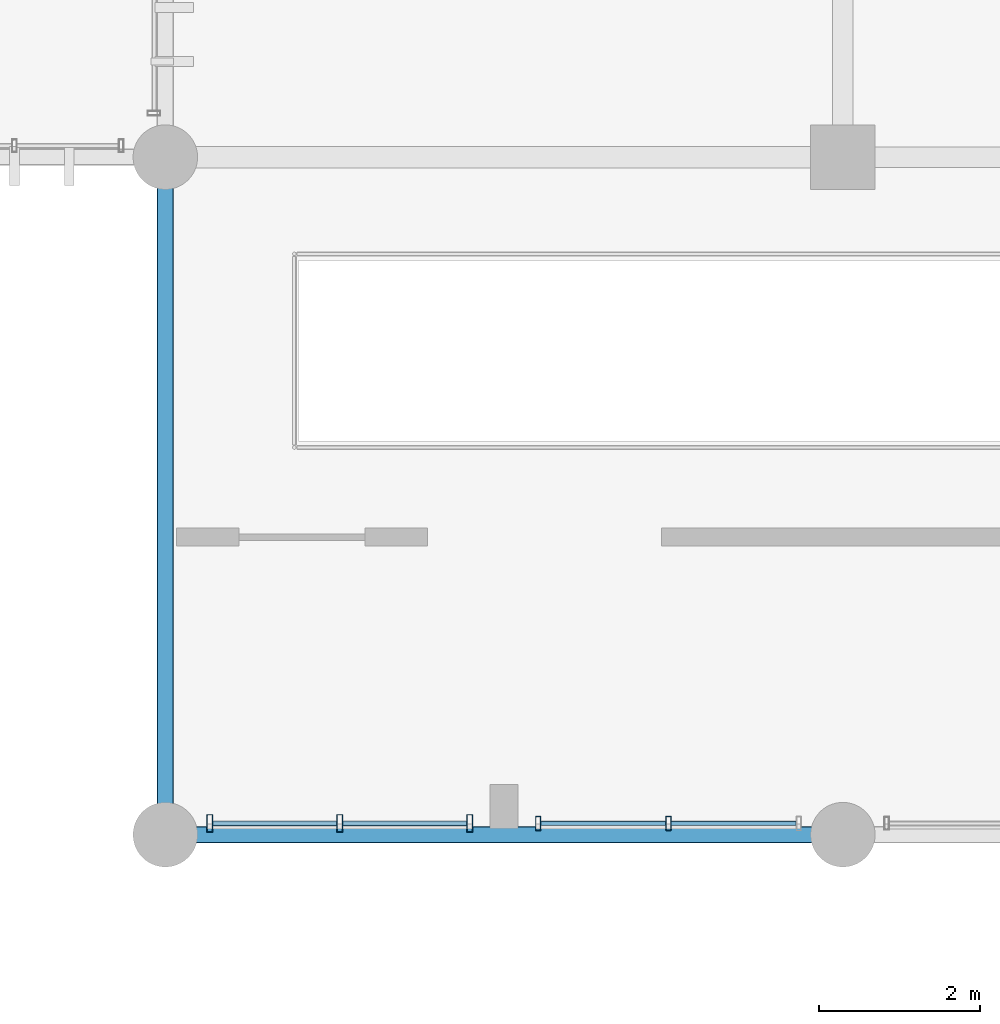
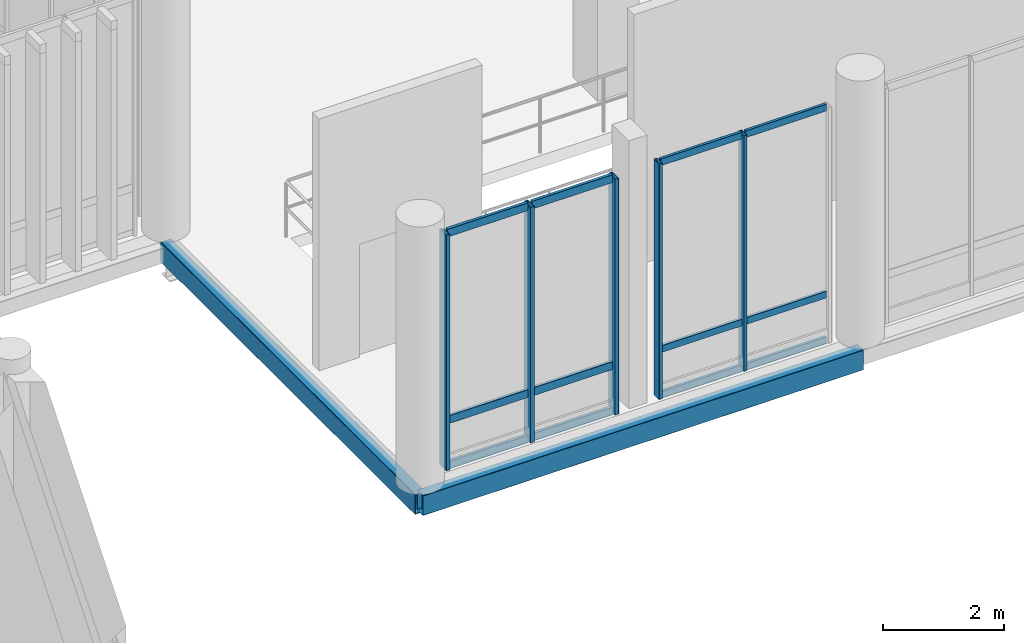
# One storey, part 21 of 128: 17 members, 2 beams, 2 elements without a shape of their own.
"""IFC4 building model written with IfcOpenShell, lengths in metres."""

from ifc_helpers import new_model, si_unit, direction, frame, origin_with_axes, origin_2d_with_axis, place, context, subcontext, project, spatial, hollow_rectangle, extrude, material, material_profile, profile_set, type_object, element, aggregate, save


model = new_model("IFC4")

# Units and contexts
model_context = context("Model", 3, precision=1e-05, world=origin_with_axes(), true_north=direction((0.0, 1.0)))
body_context = subcontext(model_context, "Body", "Model", "MODEL_VIEW")
ifc_project = project(units=[si_unit("LENGTHUNIT", "METRE"), si_unit("AREAUNIT", "SQUARE_METRE"), si_unit("VOLUMEUNIT", "CUBIC_METRE"), si_unit("PLANEANGLEUNIT", "RADIAN"), si_unit("MASSUNIT", "GRAM", prefix="KILO"), si_unit("THERMODYNAMICTEMPERATUREUNIT", "KELVIN")], contexts=[model_context])

# Site, building, storey
site_placement = place(None, origin_with_axes())
site = spatial("IfcSite", under=ifc_project, at=site_placement, CompositionType="ELEMENT")
building_placement = place(site_placement, origin_with_axes())
building = spatial("IfcBuilding", under=site, at=building_placement, Name="Montbau Bow Law Courts", CompositionType="ELEMENT")
storey_placement = place(building_placement, frame((0.0, 0.0, 5.4), z_axis=(0.0, 0.0, 1.0), x_axis=(1.0, 0.0, 0.0)))
storey = spatial("IfcBuildingStorey", under=building, at=storey_placement, Name="L01", CompositionType="ELEMENT", Elevation=5.4)

# Beams
ifc_material_1 = material(Name="Steel CSA G40.21 Grade 350WT (350 MPa)", Category="steel")
ifc_material_profile_1 = material_profile(ifc_material_1, hollow_rectangle(XDim=0.203, YDim=0.406, WallThickness=0.0127, InnerFilletRadius=0.0254, OuterFilletRadius=0.0127, at=origin_2d_with_axis()), Name="HSS406X203X13", Category="Main", Priority=0)
ifc_profile_set_1 = profile_set([ifc_material_profile_1], Name="Steel CSA G40.21 Grade 350WT (350 MPa)")
beam_type = type_object("IfcBeamType", Name="B-SPN-01", PredefinedType="SPANDREL", material=ifc_profile_set_1)
for number, where, z_axis, x_axis, name in (
    (1, (46.8, 22.2, 4.957), (1.0, 0.0, 0.0), (0.0, 1.0, 0.0), "SPN-L01-S1061:bm2_1064"),
    (2, (46.8, 22.2, 4.957), (0.0, 1.0, 0.0), (-1.0, 0.0, 0.0), "SPN-L01-S1082:bm2_1085"),
):
    element("IfcBeam", number, at=place(None, frame(where, z_axis=z_axis, x_axis=x_axis)), inside=storey, type_object=beam_type, Name=name, PredefinedType="SPANDREL", context=body_context, shape_type="SweptSolid", body=[
        extrude(hollow_rectangle(XDim=0.203, YDim=0.406, WallThickness=0.0127, InnerFilletRadius=0.0254, OuterFilletRadius=0.0127, at=origin_2d_with_axis()), origin_with_axes(), (0.0, 0.0, 1.0), 8.4),
    ])

# Curtain wall, members
ifc_material_2 = material(Name="Thermally Broken Extruded Aluminium AA 6063-T6", Category="aluminium")
curtain_wall_type = type_object("IfcCurtainWallType", Name="CW-WGC-02", PredefinedType="NOTDEFINED", material=ifc_material_2)
curtain_wall_1_placement = place(None, frame((47.315, 22.34, 5.4), z_axis=(0.0, 0.0, 1.0), x_axis=(1.0, 0.0, 0.0)))
curtain_wall_1 = element("IfcCurtainWall", 3, at=curtain_wall_1_placement, inside=storey, type_object=curtain_wall_type, Name="CW-L01-396:cw_0396", PredefinedType="NOTDEFINED")
ifc_material_profile_2 = material_profile(ifc_material_2, hollow_rectangle(XDim=0.075, YDim=0.22, WallThickness=0.005, InnerFilletRadius=0.01, OuterFilletRadius=0.005, at=origin_2d_with_axis()), Name="CWM-220X75", Category="Main", Priority=0)
ifc_profile_set_2 = profile_set([ifc_material_profile_2], Name="Thermally Broken Extruded Aluminium AA 6063-T6")
member_type_1 = type_object("IfcMemberType", Name="M-MUL-01", PredefinedType="MULLION", material=ifc_profile_set_2)
member_1_placement = place(None, frame((47.352, 22.34, 5.4), z_axis=(0.0, 0.0, 1.0), x_axis=(1.0, 0.0, 0.0)))
member_1 = element("IfcMember", 4, at=member_1_placement, type_object=member_type_1, Name="CW-L01-396-M01:cw_0396_M01", PredefinedType="MULLION", context=body_context, shape_type="SweptSolid", body=[
    extrude(hollow_rectangle(XDim=0.075, YDim=0.22, WallThickness=0.005, InnerFilletRadius=0.01, OuterFilletRadius=0.005, at=origin_2d_with_axis()), origin_with_axes(), (0.0, 0.0, 1.0), 4.75),
])
member_2_placement = place(None, frame((48.963, 22.34, 5.4), z_axis=(0.0, 0.0, 1.0), x_axis=(1.0, 0.0, 0.0)))
member_2 = element("IfcMember", 5, at=member_2_placement, type_object=member_type_1, Name="CW-L01-396-M02:cw_0396_M02", PredefinedType="MULLION", context=body_context, shape_type="SweptSolid", body=[
    extrude(hollow_rectangle(XDim=0.075, YDim=0.22, WallThickness=0.005, InnerFilletRadius=0.01, OuterFilletRadius=0.005, at=origin_2d_with_axis()), origin_with_axes(), (0.0, 0.0, 1.0), 4.75),
])
member_3_placement = place(None, frame((50.573, 22.34, 5.4), z_axis=(0.0, 0.0, 1.0), x_axis=(1.0, 0.0, 0.0)))
member_3 = element("IfcMember", 6, at=member_3_placement, type_object=member_type_1, Name="CW-L01-396-M03:cw_0396_M03", PredefinedType="MULLION", context=body_context, shape_type="SweptSolid", body=[
    extrude(hollow_rectangle(XDim=0.075, YDim=0.22, WallThickness=0.005, InnerFilletRadius=0.01, OuterFilletRadius=0.005, at=origin_2d_with_axis()), origin_with_axes(), (0.0, 0.0, 1.0), 4.75),
])

curtain_wall_2_placement = place(None, frame((51.39, 22.34, 5.4), z_axis=(0.0, 0.0, 1.0), x_axis=(1.0, 0.0, 0.0)))
curtain_wall_2 = element("IfcCurtainWall", 7, at=curtain_wall_2_placement, inside=storey, type_object=curtain_wall_type, Name="CW-L01-397:cw_0397", PredefinedType="NOTDEFINED")
ifc_material_profile_3 = material_profile(ifc_material_2, hollow_rectangle(XDim=0.065, YDim=0.18, WallThickness=0.005, InnerFilletRadius=0.01, OuterFilletRadius=0.005, at=origin_2d_with_axis()), Name="CWM-180X65", Category="Main", Priority=0)
ifc_profile_set_3 = profile_set([ifc_material_profile_3], Name="Thermally Broken Extruded Aluminium AA 6063-T6")
member_type_2 = type_object("IfcMemberType", Name="M-MUL-02", PredefinedType="MULLION", material=ifc_profile_set_3)
member_4_placement = place(None, frame((51.423, 22.34, 5.4), z_axis=(0.0, 0.0, 1.0), x_axis=(1.0, 0.0, 0.0)))
member_4 = element("IfcMember", 8, at=member_4_placement, type_object=member_type_2, Name="CW-L01-397-M01:cw_0397_M01", PredefinedType="MULLION", context=body_context, shape_type="SweptSolid", body=[
    extrude(hollow_rectangle(XDim=0.065, YDim=0.18, WallThickness=0.005, InnerFilletRadius=0.01, OuterFilletRadius=0.005, at=origin_2d_with_axis()), origin_with_axes(), (0.0, 0.0, 1.0), 4.75),
])
member_5_placement = place(None, frame((53.038, 22.34, 5.4), z_axis=(0.0, 0.0, 1.0), x_axis=(1.0, 0.0, 0.0)))
member_5 = element("IfcMember", 9, at=member_5_placement, type_object=member_type_2, Name="CW-L01-397-M02:cw_0397_M02", PredefinedType="MULLION", context=body_context, shape_type="SweptSolid", body=[
    extrude(hollow_rectangle(XDim=0.065, YDim=0.18, WallThickness=0.005, InnerFilletRadius=0.01, OuterFilletRadius=0.005, at=origin_2d_with_axis()), origin_with_axes(), (0.0, 0.0, 1.0), 4.75),
])

# Member
ifc_material_profile_4 = material_profile(ifc_material_2, hollow_rectangle(XDim=0.06, YDim=0.16, WallThickness=0.004, InnerFilletRadius=0.008, OuterFilletRadius=0.004, at=origin_2d_with_axis()), Name="CWT-160X60", Category="Main", Priority=0)
ifc_profile_set_4 = profile_set([ifc_material_profile_4], Name="Thermally Broken Extruded Aluminium AA 6063-T6")
member_type_3 = type_object("IfcMemberType", Name="M-TRN-01", PredefinedType="USERDEFINED", material=ifc_profile_set_4)
member_6_placement = place(None, frame((47.391, 22.34, 5.43), z_axis=(1.0, 0.0, 0.0), x_axis=(0.0, 1.0, 0.0)))
member_6 = element("IfcMember", 10, at=member_6_placement, type_object=member_type_3, Name="CW-L01-396-T01-1:cw_0396_T01_1", ObjectType="TRANSOM", PredefinedType="USERDEFINED", context=body_context, shape_type="SweptSolid", body=[
    extrude(hollow_rectangle(XDim=0.06, YDim=0.16, WallThickness=0.004, InnerFilletRadius=0.008, OuterFilletRadius=0.004, at=origin_2d_with_axis()), origin_with_axes(), (0.0, 0.0, 1.0), 1.532),
])

member_7_placement = place(None, frame((47.391, 22.34, 6.35), z_axis=(1.0, 0.0, 0.0), x_axis=(0.0, 1.0, 0.0)))
member_7 = element("IfcMember", 11, at=member_7_placement, type_object=member_type_3, Name="CW-L01-396-T01-2:cw_0396_T01_2", ObjectType="TRANSOM", PredefinedType="USERDEFINED", context=body_context, shape_type="SweptSolid", body=[
    extrude(hollow_rectangle(XDim=0.06, YDim=0.16, WallThickness=0.004, InnerFilletRadius=0.008, OuterFilletRadius=0.004, at=origin_2d_with_axis()), origin_with_axes(), (0.0, 0.0, 1.0), 1.532),
])

member_8_placement = place(None, frame((47.391, 22.34, 10.12), z_axis=(1.0, 0.0, 0.0), x_axis=(0.0, 1.0, 0.0)))
member_8 = element("IfcMember", 12, at=member_8_placement, type_object=member_type_3, Name="CW-L01-396-T01-3:cw_0396_T01_3", ObjectType="TRANSOM", PredefinedType="USERDEFINED", context=body_context, shape_type="SweptSolid", body=[
    extrude(hollow_rectangle(XDim=0.06, YDim=0.16, WallThickness=0.004, InnerFilletRadius=0.008, OuterFilletRadius=0.004, at=origin_2d_with_axis()), origin_with_axes(), (0.0, 0.0, 1.0), 1.532),
])

member_9_placement = place(None, frame((49.003, 22.34, 5.43), z_axis=(1.0, 0.0, 0.0), x_axis=(0.0, 1.0, 0.0)))
member_9 = element("IfcMember", 13, at=member_9_placement, type_object=member_type_3, Name="CW-L01-396-T02-1:cw_0396_T02_1", ObjectType="TRANSOM", PredefinedType="USERDEFINED", context=body_context, shape_type="SweptSolid", body=[
    extrude(hollow_rectangle(XDim=0.06, YDim=0.16, WallThickness=0.004, InnerFilletRadius=0.008, OuterFilletRadius=0.004, at=origin_2d_with_axis()), origin_with_axes(), (0.0, 0.0, 1.0), 1.531),
])

member_10_placement = place(None, frame((49.003, 22.34, 6.35), z_axis=(1.0, 0.0, 0.0), x_axis=(0.0, 1.0, 0.0)))
member_10 = element("IfcMember", 14, at=member_10_placement, type_object=member_type_3, Name="CW-L01-396-T02-2:cw_0396_T02_2", ObjectType="TRANSOM", PredefinedType="USERDEFINED", context=body_context, shape_type="SweptSolid", body=[
    extrude(hollow_rectangle(XDim=0.06, YDim=0.16, WallThickness=0.004, InnerFilletRadius=0.008, OuterFilletRadius=0.004, at=origin_2d_with_axis()), origin_with_axes(), (0.0, 0.0, 1.0), 1.531),
])

member_11_placement = place(None, frame((49.003, 22.34, 10.12), z_axis=(1.0, 0.0, 0.0), x_axis=(0.0, 1.0, 0.0)))
member_11 = element("IfcMember", 15, at=member_11_placement, type_object=member_type_3, Name="CW-L01-396-T02-3:cw_0396_T02_3", ObjectType="TRANSOM", PredefinedType="USERDEFINED", context=body_context, shape_type="SweptSolid", body=[
    extrude(hollow_rectangle(XDim=0.06, YDim=0.16, WallThickness=0.004, InnerFilletRadius=0.008, OuterFilletRadius=0.004, at=origin_2d_with_axis()), origin_with_axes(), (0.0, 0.0, 1.0), 1.531),
])

aggregate(curtain_wall_1, [member_1, member_2, member_3, member_6, member_7, member_8, member_9, member_10, member_11])

ifc_material_profile_5 = material_profile(ifc_material_2, hollow_rectangle(XDim=0.055, YDim=0.14, WallThickness=0.004, InnerFilletRadius=0.008, OuterFilletRadius=0.004, at=origin_2d_with_axis()), Name="CWT-140X55", Category="Main", Priority=0)
ifc_profile_set_5 = profile_set([ifc_material_profile_5], Name="Thermally Broken Extruded Aluminium AA 6063-T6")
member_type_4 = type_object("IfcMemberType", Name="M-TRN-02", PredefinedType="USERDEFINED", material=ifc_profile_set_5)
member_12_placement = place(None, frame((51.458, 22.34, 5.428), z_axis=(1.0, 0.0, 0.0), x_axis=(0.0, 1.0, 0.0)))
member_12 = element("IfcMember", 16, at=member_12_placement, type_object=member_type_4, Name="CW-L01-397-T01-1:cw_0397_T01_1", ObjectType="TRANSOM", PredefinedType="USERDEFINED", context=body_context, shape_type="SweptSolid", body=[
    extrude(hollow_rectangle(XDim=0.055, YDim=0.14, WallThickness=0.004, InnerFilletRadius=0.008, OuterFilletRadius=0.004, at=origin_2d_with_axis()), origin_with_axes(), (0.0, 0.0, 1.0), 1.545),
])

member_13_placement = place(None, frame((51.458, 22.34, 6.35), z_axis=(1.0, 0.0, 0.0), x_axis=(0.0, 1.0, 0.0)))
member_13 = element("IfcMember", 17, at=member_13_placement, type_object=member_type_4, Name="CW-L01-397-T01-2:cw_0397_T01_2", ObjectType="TRANSOM", PredefinedType="USERDEFINED", context=body_context, shape_type="SweptSolid", body=[
    extrude(hollow_rectangle(XDim=0.055, YDim=0.14, WallThickness=0.004, InnerFilletRadius=0.008, OuterFilletRadius=0.004, at=origin_2d_with_axis()), origin_with_axes(), (0.0, 0.0, 1.0), 1.545),
])

member_14_placement = place(None, frame((51.458, 22.34, 10.123), z_axis=(1.0, 0.0, 0.0), x_axis=(0.0, 1.0, 0.0)))
member_14 = element("IfcMember", 18, at=member_14_placement, type_object=member_type_4, Name="CW-L01-397-T01-3:cw_0397_T01_3", ObjectType="TRANSOM", PredefinedType="USERDEFINED", context=body_context, shape_type="SweptSolid", body=[
    extrude(hollow_rectangle(XDim=0.055, YDim=0.14, WallThickness=0.004, InnerFilletRadius=0.008, OuterFilletRadius=0.004, at=origin_2d_with_axis()), origin_with_axes(), (0.0, 0.0, 1.0), 1.545),
])

member_15_placement = place(None, frame((53.072, 22.34, 5.428), z_axis=(1.0, 0.0, 0.0), x_axis=(0.0, 1.0, 0.0)))
member_15 = element("IfcMember", 19, at=member_15_placement, type_object=member_type_4, Name="CW-L01-397-T02-1:cw_0397_T02_1", ObjectType="TRANSOM", PredefinedType="USERDEFINED", context=body_context, shape_type="SweptSolid", body=[
    extrude(hollow_rectangle(XDim=0.055, YDim=0.14, WallThickness=0.004, InnerFilletRadius=0.008, OuterFilletRadius=0.004, at=origin_2d_with_axis()), origin_with_axes(), (0.0, 0.0, 1.0), 1.546),
])

member_16_placement = place(None, frame((53.072, 22.34, 6.35), z_axis=(1.0, 0.0, 0.0), x_axis=(0.0, 1.0, 0.0)))
member_16 = element("IfcMember", 20, at=member_16_placement, type_object=member_type_4, Name="CW-L01-397-T02-2:cw_0397_T02_2", ObjectType="TRANSOM", PredefinedType="USERDEFINED", context=body_context, shape_type="SweptSolid", body=[
    extrude(hollow_rectangle(XDim=0.055, YDim=0.14, WallThickness=0.004, InnerFilletRadius=0.008, OuterFilletRadius=0.004, at=origin_2d_with_axis()), origin_with_axes(), (0.0, 0.0, 1.0), 1.546),
])

member_17_placement = place(None, frame((53.072, 22.34, 10.123), z_axis=(1.0, 0.0, 0.0), x_axis=(0.0, 1.0, 0.0)))
member_17 = element("IfcMember", 21, at=member_17_placement, type_object=member_type_4, Name="CW-L01-397-T02-3:cw_0397_T02_3", ObjectType="TRANSOM", PredefinedType="USERDEFINED", context=body_context, shape_type="SweptSolid", body=[
    extrude(hollow_rectangle(XDim=0.055, YDim=0.14, WallThickness=0.004, InnerFilletRadius=0.008, OuterFilletRadius=0.004, at=origin_2d_with_axis()), origin_with_axes(), (0.0, 0.0, 1.0), 1.546),
])

aggregate(curtain_wall_2, [member_4, member_5, member_12, member_13, member_14, member_15, member_16, member_17])

save(model, "model.ifc")
